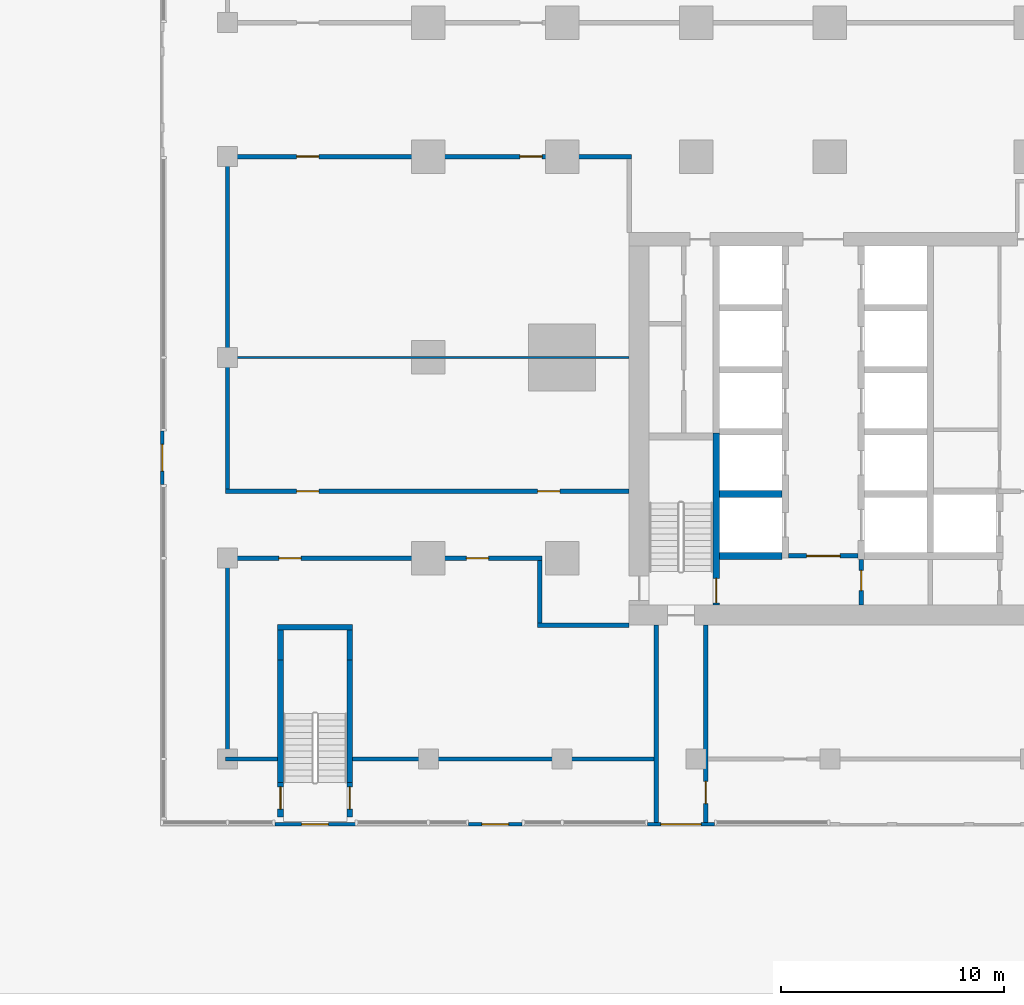
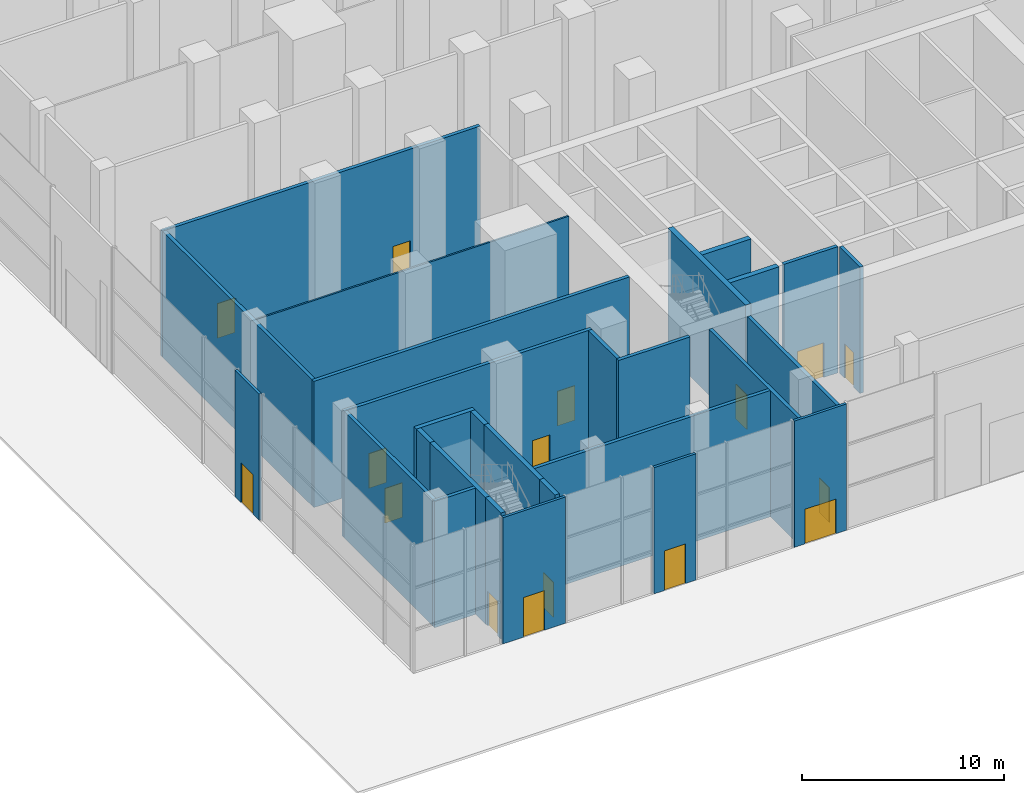
# One storey, part 17 of 29: 28 walls, 16 doors, 16 openings.
"""IFC4 building model written with IfcOpenShell, lengths in metres."""

from ifc_helpers import new_model, si_unit, direction, frame, frame_2d, origin, place, context, subcontext, project, spatial, rectangle, extrude, material, layer, layer_set, type_object, element, fill, save


model = new_model("IFC4")

# Units and contexts
model_context = context("Model", 3, precision=1e-05, world=origin(), true_north=direction((0.0, 1.0)))
body_context = subcontext(model_context, "Body", "Model", "MODEL_VIEW")
ifc_project = project(units=[si_unit("LENGTHUNIT", "METRE"), si_unit("AREAUNIT", "SQUARE_METRE"), si_unit("VOLUMEUNIT", "CUBIC_METRE"), si_unit("PLANEANGLEUNIT", "RADIAN"), si_unit("MASSUNIT", "GRAM", prefix="KILO")], contexts=[model_context])

# Site, building, storey
site_placement = place(None, origin())
site = spatial("IfcSite", under=ifc_project, at=site_placement, CompositionType="ELEMENT")
building_placement = place(site_placement, origin())
building = spatial("IfcBuilding", under=site, at=building_placement, Name="Finial Court Residences", CompositionType="ELEMENT")
storey_placement = place(building_placement, origin())
storey = spatial("IfcBuildingStorey", under=building, at=storey_placement, Name="L00", CompositionType="ELEMENT", Elevation=0.0)

# Walls
ifc_material_1 = material(Name="Gypsum board")
ifc_layer_1 = layer(ifc_material_1, 0.02490234375)
ifc_material_2 = material(Name="Acoustic mineral wool in double frame")
ifc_layer_2 = layer(ifc_material_2, 0.14990234375)
ifc_layer_3 = layer(ifc_material_1, 0.02490234375)
ifc_layer_set_1 = layer_set([ifc_layer_1, ifc_layer_2, ifc_layer_3], Name="Corridor wall 200, 1 hour")
wall_type_1 = type_object("IfcWallType", Name="Corridor wall 200, 1 hour", PredefinedType="PARTITIONING", material=ifc_layer_set_1)
wall_1_placement = place(storey_placement, frame((-31.60009765625, -31.5, 0.0), z_axis=(0.0, 0.0, 1.0), x_axis=(1.0, 0.0, 0.0)))
element("IfcWall", 1, at=wall_1_placement, inside=storey, type_object=wall_type_1, Name="Partition L00-000", PredefinedType="PARTITIONING", context=body_context, shape_type="SweptSolid", body=[
    extrude(rectangle(XDim=2.35009765625, YDim=0.199951171875, at=frame_2d((1.175048828125, 0.0))), origin(), (0.0, 0.0, 1.0), 7.64990234375),
])
wall_2_placement = place(storey_placement, frame((-25.89990234375, -31.5, 0.0), z_axis=(0.0, 0.0, 1.0), x_axis=(1.0, 0.0, 0.0)))
element("IfcWall", 2, at=wall_2_placement, inside=storey, type_object=wall_type_1, Name="Partition L00-001", PredefinedType="PARTITIONING", context=body_context, shape_type="SweptSolid", body=[
    extrude(rectangle(XDim=13.599853515625, YDim=0.199951171875, at=frame_2d((6.7998046875, 0.0))), origin(), (0.0, 0.0, 1.0), 7.64990234375),
])
wall_3_placement = place(storey_placement, frame((-17.60009765625, -25.5, 0.0), z_axis=(0.0, 0.0, 1.0), x_axis=(1.0, 0.0, 0.0)))
element("IfcWall", 3, at=wall_3_placement, inside=storey, type_object=wall_type_1, Name="Partition L00-006", PredefinedType="PARTITIONING", context=body_context, shape_type="SweptSolid", body=[
    extrude(rectangle(XDim=4.10009765625, YDim=0.199951171875, at=frame_2d((2.050048828125, 0.0))), origin(), (0.0, 0.0, 1.0), 7.64990234375),
])

# Wall, openings, doors
wall_4_placement = place(storey_placement, frame((-31.60009765625, -22.5, 0.0), z_axis=(0.0, 0.0, 1.0), x_axis=(1.0, 0.0, 0.0)))
wall_4 = element("IfcWall", 4, at=wall_4_placement, inside=storey, type_object=wall_type_1, Name="Partition L00-007", PredefinedType="PARTITIONING", context=body_context, shape_type="SweptSolid", body=[
    extrude(rectangle(XDim=14.2001953125, YDim=0.199951171875, at=frame_2d((7.10009765625, 0.0))), origin(), (0.0, 0.0, 1.0), 7.64990234375),
])
opening_1_placement = place(wall_4_placement, frame((2.39990234375, 0.0, 0.0)))
opening_1 = element("IfcOpeningElement", 5, at=opening_1_placement, cuts=wall_4, Name="Opening L00-D005", PredefinedType="OPENING", context=body_context, shape_type="SweptSolid", body=[
    extrude(rectangle(XDim=1.0, YDim=2.10009765625, at=frame_2d((0.5, 1.050048828125))), frame((0.0, 0.10986328125, 0.0), z_axis=(0.0, -1.0, 0.0), x_axis=(1.0, 0.0, 0.0)), (0.0, 0.0, 1.0), 0.219970703125),
])
opening_2_placement = place(wall_4_placement, frame((10.800048828125, 0.0, 0.0)))
opening_2 = element("IfcOpeningElement", 6, at=opening_2_placement, cuts=wall_4, Name="Opening L00-D006", PredefinedType="OPENING", context=body_context, shape_type="SweptSolid", body=[
    extrude(rectangle(XDim=1.0, YDim=2.10009765625, at=frame_2d((0.5, 1.050048828125))), frame((0.0, 0.10986328125, 0.0), z_axis=(0.0, -1.0, 0.0), x_axis=(1.0, 0.0, 0.0)), (0.0, 0.0, 1.0), 0.219970703125),
])
ifc_material_3 = material(Name="Timber door leaf in hollow metal frame", Category="wood")
door_type_1 = type_object("IfcDoorType", Name="Fire door set 1000 x 2100, 30 minutes", OperationType="SINGLE_SWING_LEFT", PredefinedType="DOOR", material=ifc_material_3)
door_1_placement = place(opening_1_placement, origin())
door_1 = element("IfcDoor", 7, at=door_1_placement, inside=storey, type_object=door_type_1, Name="Door L00-D005", OperationType="SINGLE_SWING_LEFT", OverallHeight=2.10009765625, OverallWidth=1.0, PredefinedType="DOOR", context=body_context, shape_type="SweptSolid", body=[
    extrude(rectangle(XDim=1.0, YDim=2.10009765625, at=frame_2d((0.5, 1.050048828125))), frame((0.0, 0.02490234375, 0.0), z_axis=(0.0, -1.0, 0.0), x_axis=(1.0, 0.0, 0.0)), (0.0, 0.0, 1.0), 0.050048828125),
])
fill(opening_1, door_1)
door_2_placement = place(opening_2_placement, origin())
door_2 = element("IfcDoor", 8, at=door_2_placement, inside=storey, type_object=door_type_1, Name="Door L00-D006", OperationType="SINGLE_SWING_RIGHT", OverallHeight=2.10009765625, OverallWidth=1.0, PredefinedType="DOOR", context=body_context, shape_type="SweptSolid", body=[
    extrude(rectangle(XDim=1.0, YDim=2.10009765625, at=frame_2d((0.5, 1.050048828125))), frame((0.0, 0.02490234375, 0.0), z_axis=(0.0, -1.0, 0.0), x_axis=(1.0, 0.0, 0.0)), (0.0, 0.0, 1.0), 0.050048828125),
])
fill(opening_2, door_2)

wall_5_placement = place(storey_placement, frame((-31.60009765625, -19.5, 0.0), z_axis=(0.0, 0.0, 1.0), x_axis=(1.0, 0.0, 0.0)))
wall_5 = element("IfcWall", 9, at=wall_5_placement, inside=storey, type_object=wall_type_1, Name="Partition L00-008", PredefinedType="PARTITIONING", context=body_context, shape_type="SweptSolid", body=[
    extrude(rectangle(XDim=18.10009765625, YDim=0.199951171875, at=frame_2d((9.050048828125, 0.0))), origin(), (0.0, 0.0, 1.0), 7.64990234375),
])
opening_3_placement = place(wall_5_placement, frame((3.199951171875, 0.0, 0.0)))
opening_3 = element("IfcOpeningElement", 10, at=opening_3_placement, cuts=wall_5, Name="Opening L00-D007", PredefinedType="OPENING", context=body_context, shape_type="SweptSolid", body=[
    extrude(rectangle(XDim=1.0, YDim=2.10009765625, at=frame_2d((0.5, 1.050048828125))), frame((0.0, 0.10986328125, 0.0), z_axis=(0.0, -1.0, 0.0), x_axis=(1.0, 0.0, 0.0)), (0.0, 0.0, 1.0), 0.219970703125),
])
opening_4_placement = place(wall_5_placement, frame((14.0, 0.0, 0.0)))
opening_4 = element("IfcOpeningElement", 11, at=opening_4_placement, cuts=wall_5, Name="Opening L00-D008", PredefinedType="OPENING", context=body_context, shape_type="SweptSolid", body=[
    extrude(rectangle(XDim=1.0, YDim=2.10009765625, at=frame_2d((0.5, 1.050048828125))), frame((0.0, 0.10986328125, 0.0), z_axis=(0.0, -1.0, 0.0), x_axis=(1.0, 0.0, 0.0)), (0.0, 0.0, 1.0), 0.219970703125),
])
door_3_placement = place(opening_3_placement, origin())
door_3 = element("IfcDoor", 12, at=door_3_placement, inside=storey, type_object=door_type_1, Name="Door L00-D007", OperationType="SINGLE_SWING_RIGHT", OverallHeight=2.10009765625, OverallWidth=1.0, PredefinedType="DOOR", context=body_context, shape_type="SweptSolid", body=[
    extrude(rectangle(XDim=1.0, YDim=2.10009765625, at=frame_2d((0.5, 1.050048828125))), frame((0.0, 0.02490234375, 0.0), z_axis=(0.0, -1.0, 0.0), x_axis=(1.0, 0.0, 0.0)), (0.0, 0.0, 1.0), 0.050048828125),
])
fill(opening_3, door_3)
door_4_placement = place(opening_4_placement, origin())
door_4 = element("IfcDoor", 13, at=door_4_placement, inside=storey, type_object=door_type_1, Name="Door L00-D008", OperationType="SINGLE_SWING_LEFT", OverallHeight=2.10009765625, OverallWidth=1.0, PredefinedType="DOOR", context=body_context, shape_type="SweptSolid", body=[
    extrude(rectangle(XDim=1.0, YDim=2.10009765625, at=frame_2d((0.5, 1.050048828125))), frame((0.0, 0.02490234375, 0.0), z_axis=(0.0, -1.0, 0.0), x_axis=(1.0, 0.0, 0.0)), (0.0, 0.0, 1.0), 0.050048828125),
])
fill(opening_4, door_4)

wall_6_placement = place(storey_placement, frame((-31.60009765625, -4.5, 0.0), z_axis=(0.0, 0.0, 1.0), x_axis=(1.0, 0.0, 0.0)))
wall_6 = element("IfcWall", 14, at=wall_6_placement, inside=storey, type_object=wall_type_1, Name="Partition L00-012", PredefinedType="PARTITIONING", context=body_context, shape_type="SweptSolid", body=[
    extrude(rectangle(XDim=18.2001953125, YDim=0.199951171875, at=frame_2d((9.10009765625, 0.0))), origin(), (0.0, 0.0, 1.0), 7.64990234375),
])
opening_5_placement = place(wall_6_placement, frame((3.199951171875, 0.0, 0.0)))
opening_5 = element("IfcOpeningElement", 15, at=opening_5_placement, cuts=wall_6, Name="Opening L00-D011", PredefinedType="OPENING", context=body_context, shape_type="SweptSolid", body=[
    extrude(rectangle(XDim=1.0, YDim=2.10009765625, at=frame_2d((0.5, 1.050048828125))), frame((0.0, 0.10986328125, 0.0), z_axis=(0.0, -1.0, 0.0), x_axis=(1.0, 0.0, 0.0)), (0.0, 0.0, 1.0), 0.219970703125),
])
opening_6_placement = place(wall_6_placement, frame((13.199951171875, 0.0, 0.0)))
opening_6 = element("IfcOpeningElement", 16, at=opening_6_placement, cuts=wall_6, Name="Opening L00-D012", PredefinedType="OPENING", context=body_context, shape_type="SweptSolid", body=[
    extrude(rectangle(XDim=1.0, YDim=2.10009765625, at=frame_2d((0.5, 1.050048828125))), frame((0.0, 0.10986328125, 0.0), z_axis=(0.0, -1.0, 0.0), x_axis=(1.0, 0.0, 0.0)), (0.0, 0.0, 1.0), 0.219970703125),
])
door_5_placement = place(opening_5_placement, origin())
door_5 = element("IfcDoor", 17, at=door_5_placement, inside=storey, type_object=door_type_1, Name="Door L00-D011", OperationType="SINGLE_SWING_LEFT", OverallHeight=2.10009765625, OverallWidth=1.0, PredefinedType="DOOR", context=body_context, shape_type="SweptSolid", body=[
    extrude(rectangle(XDim=1.0, YDim=2.10009765625, at=frame_2d((0.5, 1.050048828125))), frame((0.0, 0.02490234375, 0.0), z_axis=(0.0, -1.0, 0.0), x_axis=(1.0, 0.0, 0.0)), (0.0, 0.0, 1.0), 0.050048828125),
])
fill(opening_5, door_5)
door_6_placement = place(opening_6_placement, origin())
door_6 = element("IfcDoor", 18, at=door_6_placement, inside=storey, type_object=door_type_1, Name="Door L00-D012", OperationType="SINGLE_SWING_RIGHT", OverallHeight=2.10009765625, OverallWidth=1.0, PredefinedType="DOOR", context=body_context, shape_type="SweptSolid", body=[
    extrude(rectangle(XDim=1.0, YDim=2.10009765625, at=frame_2d((0.5, 1.050048828125))), frame((0.0, 0.02490234375, 0.0), z_axis=(0.0, -1.0, 0.0), x_axis=(1.0, 0.0, 0.0)), (0.0, 0.0, 1.0), 0.050048828125),
])
fill(opening_6, door_6)

# Walls
wall_7_placement = place(storey_placement, frame((-31.5, -31.39990234375, 0.0), z_axis=(0.0, 0.0, 1.0), x_axis=(0.0, 1.0, 0.0)))
element("IfcWall", 19, at=wall_7_placement, inside=storey, type_object=wall_type_1, Name="Partition L00-034", PredefinedType="PARTITIONING", context=body_context, shape_type="SweptSolid", body=[
    extrude(rectangle(XDim=8.7998046875, YDim=0.199951171875, at=frame_2d((4.39990234375, 0.0))), origin(), (0.0, 0.0, 1.0), 7.64990234375),
])
wall_8_placement = place(storey_placement, frame((-31.5, -19.39990234375, 0.0), z_axis=(0.0, 0.0, 1.0), x_axis=(0.0, 1.0, 0.0)))
element("IfcWall", 20, at=wall_8_placement, inside=storey, type_object=wall_type_1, Name="Partition L00-035", PredefinedType="PARTITIONING", context=body_context, shape_type="SweptSolid", body=[
    extrude(rectangle(XDim=14.7998046875, YDim=0.199951171875, at=frame_2d((7.39990234375, 0.0))), origin(), (0.0, 0.0, 1.0), 7.64990234375),
])
wall_9_placement = place(storey_placement, frame((-17.5, -25.39990234375, 0.0), z_axis=(0.0, 0.0, 1.0), x_axis=(0.0, 1.0, 0.0)))
element("IfcWall", 21, at=wall_9_placement, inside=storey, type_object=wall_type_1, Name="Partition L00-040", PredefinedType="PARTITIONING", context=body_context, shape_type="SweptSolid", body=[
    extrude(rectangle(XDim=2.7998046875, YDim=0.199951171875, at=frame_2d((1.39990234375, 0.0))), origin(), (0.0, 0.0, 1.0), 7.64990234375),
])

# Wall, opening, door
ifc_material_4 = material(Name="Natural limestone", Category="masonry")
ifc_layer_4 = layer(ifc_material_4, 0.14990234375)
ifc_layer_set_2 = layer_set([ifc_layer_4], Name="Entrance portal wall, limestone 150")
wall_type_2 = type_object("IfcWallType", Name="Entrance portal wall, limestone 150", PredefinedType="SOLIDWALL", material=ifc_layer_set_2)
wall_10_placement = place(storey_placement, frame((-9.675048828125, -34.425048828125, 0.0), z_axis=(0.0, 0.0, 1.0), x_axis=(-1.0, 0.0, 0.0)))
wall_10 = element("IfcWall", 22, at=wall_10_placement, inside=storey, type_object=wall_type_2, Name="E-L00-ENT2", PredefinedType="SOLIDWALL", context=body_context, shape_type="SweptSolid", body=[
    extrude(rectangle(XDim=3.0, YDim=0.14990234375, at=frame_2d((1.5, 0.0))), origin(), (0.0, 0.0, 1.0), 7.64990234375),
])
opening_7_placement = place(wall_10_placement, frame((0.60009765625, 0.0, 0.0)))
opening_7 = element("IfcOpeningElement", 23, at=opening_7_placement, cuts=wall_10, Name="Opening DE00-02", PredefinedType="OPENING", context=body_context, shape_type="SweptSolid", body=[
    extrude(rectangle(XDim=1.800048828125, YDim=2.10009765625, at=frame_2d((0.89990234375, 1.050048828125))), frame((0.0, 0.0849609375, 0.0), z_axis=(0.0, -1.0, 0.0), x_axis=(1.0, 0.0, 0.0)), (0.0, 0.0, 1.0), 0.169921875),
])
ifc_material_5 = material(Name="Steel S355", Category="steel")
door_type_2 = type_object("IfcDoorType", Name="Stair discharge door 1800 x 2100", OperationType="DOUBLE_DOOR_SINGLE_SWING", PredefinedType="DOOR", material=ifc_material_5)
door_7_placement = place(opening_7_placement, origin())
door_7 = element("IfcDoor", 24, at=door_7_placement, inside=storey, type_object=door_type_2, Name="E-L00-ENT2-D", OperationType="DOUBLE_DOOR_SINGLE_SWING", OverallHeight=2.10009765625, OverallWidth=1.800048828125, PredefinedType="DOOR", context=body_context, shape_type="SweptSolid", body=[
    extrude(rectangle(XDim=1.800048828125, YDim=2.10009765625, at=frame_2d((0.89990234375, 1.050048828125))), frame((0.0, 0.02490234375, 0.0), z_axis=(0.0, -1.0, 0.0), x_axis=(1.0, 0.0, 0.0)), (0.0, 0.0, 1.0), 0.050048828125),
])
fill(opening_7, door_7)

wall_11_placement = place(storey_placement, frame((-25.77490234375, -34.425048828125, 0.0), z_axis=(0.0, 0.0, 1.0), x_axis=(-1.0, 0.0, 0.0)))
wall_11 = element("IfcWall", 25, at=wall_11_placement, inside=storey, type_object=wall_type_2, Name="E-L00-ENT5", PredefinedType="SOLIDWALL", context=body_context, shape_type="SweptSolid", body=[
    extrude(rectangle(XDim=3.60009765625, YDim=0.14990234375, at=frame_2d((1.800048828125, 0.0))), origin(), (0.0, 0.0, 1.0), 7.64990234375),
])
opening_8_placement = place(wall_11_placement, frame((1.199951171875, 0.0, 0.0)))
opening_8 = element("IfcOpeningElement", 26, at=opening_8_placement, cuts=wall_11, Name="Opening DE00-05", PredefinedType="OPENING", context=body_context, shape_type="SweptSolid", body=[
    extrude(rectangle(XDim=1.199951171875, YDim=2.39990234375, at=frame_2d((0.60009765625, 1.199951171875))), frame((0.0, 0.0849609375, 0.0), z_axis=(0.0, -1.0, 0.0), x_axis=(1.0, 0.0, 0.0)), (0.0, 0.0, 1.0), 0.169921875),
])
door_type_3 = type_object("IfcDoorType", Name="Stair discharge door 1200 x 2400", OperationType="SINGLE_SWING_LEFT", PredefinedType="DOOR", material=ifc_material_5)
door_8_placement = place(opening_8_placement, origin())
door_8 = element("IfcDoor", 27, at=door_8_placement, inside=storey, type_object=door_type_3, Name="E-L00-ENT5-D", OperationType="SINGLE_SWING_RIGHT", OverallHeight=2.39990234375, OverallWidth=1.199951171875, PredefinedType="DOOR", context=body_context, shape_type="SweptSolid", body=[
    extrude(rectangle(XDim=1.199951171875, YDim=2.39990234375, at=frame_2d((0.60009765625, 1.199951171875))), frame((0.0, 0.02490234375, 0.0), z_axis=(0.0, -1.0, 0.0), x_axis=(1.0, 0.0, 0.0)), (0.0, 0.0, 1.0), 0.050048828125),
])
fill(opening_8, door_8)

wall_12_placement = place(storey_placement, frame((-18.300048828125, -34.425048828125, 0.0), z_axis=(0.0, 0.0, 1.0), x_axis=(-1.0, 0.0, 0.0)))
wall_12 = element("IfcWall", 28, at=wall_12_placement, inside=storey, type_object=wall_type_2, Name="E-L00-ENT8", PredefinedType="SOLIDWALL", context=body_context, shape_type="SweptSolid", body=[
    extrude(rectangle(XDim=2.39990234375, YDim=0.14990234375, at=frame_2d((1.199951171875, 0.0))), origin(), (0.0, 0.0, 1.0), 7.64990234375),
])
opening_9_placement = place(wall_12_placement, frame((0.60009765625, 0.0, 0.0)))
opening_9 = element("IfcOpeningElement", 29, at=opening_9_placement, cuts=wall_12, Name="Opening DE00-08", PredefinedType="OPENING", context=body_context, shape_type="SweptSolid", body=[
    extrude(rectangle(XDim=1.199951171875, YDim=2.39990234375, at=frame_2d((0.60009765625, 1.199951171875))), frame((0.0, 0.0849609375, 0.0), z_axis=(0.0, -1.0, 0.0), x_axis=(1.0, 0.0, 0.0)), (0.0, 0.0, 1.0), 0.169921875),
])
ifc_material_6 = material(Name="Bronze anodised aluminium", Category="aluminium")
door_type_4 = type_object("IfcDoorType", Name="Shopfront entrance door 1200 x 2400", OperationType="SINGLE_SWING_LEFT", PredefinedType="DOOR", material=ifc_material_6)
door_9_placement = place(opening_9_placement, origin())
door_9 = element("IfcDoor", 30, at=door_9_placement, inside=storey, type_object=door_type_4, Name="E-L00-ENT8-D", OperationType="SINGLE_SWING_LEFT", OverallHeight=2.39990234375, OverallWidth=1.199951171875, PredefinedType="DOOR", context=body_context, shape_type="SweptSolid", body=[
    extrude(rectangle(XDim=1.199951171875, YDim=2.39990234375, at=frame_2d((0.60009765625, 1.199951171875))), frame((0.0, 0.02490234375, 0.0), z_axis=(0.0, -1.0, 0.0), x_axis=(1.0, 0.0, 0.0)), (0.0, 0.0, 1.0), 0.050048828125),
])
fill(opening_9, door_9)

wall_13_placement = place(storey_placement, frame((-34.425048828125, -19.199951171875, 0.0), z_axis=(0.0, 0.0, 1.0), x_axis=(0.0, 1.0, 0.0)))
wall_13 = element("IfcWall", 31, at=wall_13_placement, inside=storey, type_object=wall_type_2, Name="E-L00-ENT15", PredefinedType="SOLIDWALL", context=body_context, shape_type="SweptSolid", body=[
    extrude(rectangle(XDim=2.39990234375, YDim=0.14990234375, at=frame_2d((1.199951171875, 0.0))), origin(), (0.0, 0.0, 1.0), 7.64990234375),
])
opening_10_placement = place(wall_13_placement, frame((0.60009765625, 0.0, 0.0)))
opening_10 = element("IfcOpeningElement", 32, at=opening_10_placement, cuts=wall_13, Name="Opening DE00-15", PredefinedType="OPENING", context=body_context, shape_type="SweptSolid", body=[
    extrude(rectangle(XDim=1.199951171875, YDim=2.39990234375, at=frame_2d((0.60009765625, 1.199951171875))), frame((0.0, 0.0849609375, 0.0), z_axis=(0.0, -1.0, 0.0), x_axis=(1.0, 0.0, 0.0)), (0.0, 0.0, 1.0), 0.169921875),
])
door_10_placement = place(opening_10_placement, origin())
door_10 = element("IfcDoor", 33, at=door_10_placement, inside=storey, type_object=door_type_4, Name="E-L00-ENT15-D", OperationType="SINGLE_SWING_RIGHT", OverallHeight=2.39990234375, OverallWidth=1.199951171875, PredefinedType="DOOR", context=body_context, shape_type="SweptSolid", body=[
    extrude(rectangle(XDim=1.199951171875, YDim=2.39990234375, at=frame_2d((0.60009765625, 1.199951171875))), frame((0.0, 0.02490234375, 0.0), z_axis=(0.0, -1.0, 0.0), x_axis=(1.0, 0.0, 0.0)), (0.0, 0.0, 1.0), 0.050048828125),
])
fill(opening_10, door_10)

# Wall
ifc_material_7 = material(Name="Fire-rated gypsum board partition")
ifc_layer_5 = layer(ifc_material_7, 0.199951171875)
ifc_layer_set_3 = layer_set([ifc_layer_5], Name="Exit passage wall 200 EI 120")
wall_type_3 = type_object("IfcWallType", Name="Exit passage wall 200 EI 120", PredefinedType="PARTITIONING", material=ifc_layer_set_3)
wall_14_placement = place(storey_placement, frame((-12.27490234375, -25.5, 0.0), z_axis=(0.0, 0.0, 1.0), x_axis=(0.0, -1.0, 0.0)))
element("IfcWall", 34, at=wall_14_placement, inside=storey, type_object=wall_type_3, Name="Exit passage wall ST-1 W", PredefinedType="PARTITIONING", context=body_context, shape_type="SweptSolid", body=[
    extrude(rectangle(XDim=8.85009765625, YDim=0.199951171875, at=frame_2d((4.425048828125, 0.0))), origin(), (0.0, 0.0, 1.0), 7.64990234375),
])

# Wall, opening, door
wall_15_placement = place(storey_placement, frame((-10.074951171875, -34.35009765625, 0.0), z_axis=(0.0, 0.0, 1.0), x_axis=(0.0, 1.0, 0.0)))
wall_15 = element("IfcWall", 35, at=wall_15_placement, inside=storey, type_object=wall_type_3, Name="Exit passage wall ST-1 E", PredefinedType="PARTITIONING", context=body_context, shape_type="SweptSolid", body=[
    extrude(rectangle(XDim=8.85009765625, YDim=0.199951171875, at=frame_2d((4.425048828125, 0.0))), origin(), (0.0, 0.0, 1.0), 7.64990234375),
])
opening_11_placement = place(wall_15_placement, frame((0.85009765625, 0.0, 0.0)))
opening_11 = element("IfcOpeningElement", 36, at=opening_11_placement, cuts=wall_15, Name="Opening L00-P01", PredefinedType="OPENING", context=body_context, shape_type="SweptSolid", body=[
    extrude(rectangle(XDim=1.0, YDim=2.10009765625, at=frame_2d((0.5, 1.050048828125))), frame((0.0, 0.10986328125, 0.0), z_axis=(0.0, -1.0, 0.0), x_axis=(1.0, 0.0, 0.0)), (0.0, 0.0, 1.0), 0.219970703125),
])
ifc_material_8 = material(Name="Steel fire door", Category="steel")
door_type_5 = type_object("IfcDoorType", Name="Stair door 1000 x 2100 EI 90", OperationType="NOTDEFINED", PredefinedType="DOOR", material=ifc_material_8)
door_11_placement = place(opening_11_placement, origin())
door_11 = element("IfcDoor", 37, at=door_11_placement, inside=storey, type_object=door_type_5, Name="Exit passage door ST-1 E", OperationType="SINGLE_SWING_LEFT", OverallHeight=2.10009765625, OverallWidth=1.0, PredefinedType="DOOR", context=body_context, shape_type="SweptSolid", body=[
    extrude(rectangle(XDim=1.0, YDim=2.10009765625, at=frame_2d((0.5, 1.050048828125))), frame((0.0, 0.02490234375, 0.0), z_axis=(0.0, -1.0, 0.0), x_axis=(1.0, 0.0, 0.0)), (0.0, 0.0, 1.0), 0.050048828125),
])
fill(opening_11, door_11)

# Walls
ifc_layer_6 = layer(ifc_material_1, 0.012451171875)
ifc_material_9 = material(Name="Mineral wool in light-gauge frame")
ifc_layer_7 = layer(ifc_material_9, 0.074951171875)
ifc_layer_8 = layer(ifc_material_1, 0.012451171875)
ifc_layer_set_4 = layer_set([ifc_layer_6, ifc_layer_7, ifc_layer_8], Name="Gypsum board partition 100")
wall_type_4 = type_object("IfcWallType", Name="Gypsum board partition 100", PredefinedType="PARTITIONING", material=ifc_layer_set_4)
wall_16_placement = place(storey_placement, frame((-31.39990234375, -13.5, 0.0), z_axis=(0.0, 0.0, 1.0), x_axis=(1.0, 0.0, 0.0)))
element("IfcWall", 38, at=wall_16_placement, inside=storey, type_object=wall_type_4, Name="Partition L00-010", PredefinedType="PARTITIONING", context=body_context, shape_type="SweptSolid", body=[
    extrude(rectangle(XDim=17.89990234375, YDim=0.10009765625, at=frame_2d((8.949951171875, 0.0))), origin(), (0.0, 0.0, 1.0), 7.64990234375),
])
ifc_material_10 = material(Name="Concrete C80/95", Category="concrete")
ifc_layer_9 = layer(ifc_material_10, 0.300048828125)
ifc_layer_set_5 = layer_set([ifc_layer_9], Name="Lift shaft and stair wall 300 Concrete C80/95")
wall_type_5 = type_object("IfcWallType", Name="Lift shaft and stair wall 300 Concrete C80/95", PredefinedType="SHEAR", material=ifc_layer_set_5)
for number, where, z_axis, x_axis, name in (
    (39, (-9.449951171875, -22.39990234375, 0.0), (0.0, 0.0, 1.0), (1.0, 0.0, 0.0), "Core wall L00-01"),
    (40, (-9.449951171875, -19.6201171875, 0.0), (0.0, 0.0, 1.0), (1.0, 0.0, 0.0), "Core wall L00-05"),
):
    element("IfcWall", number, at=place(storey_placement, frame(where, z_axis=z_axis, x_axis=x_axis)), inside=storey, type_object=wall_type_5, Name=name, PredefinedType="SHEAR", context=body_context, shape_type="SweptSolid", body=[
        extrude(rectangle(XDim=2.800048828125, YDim=0.300048828125, at=frame_2d((1.39990234375, 0.0))), origin(), (0.0, 0.0, 1.0), 7.64990234375),
    ])

# Wall, opening, door
wall_17_placement = place(storey_placement, frame((-9.60009765625, -24.60009765625, 0.0), z_axis=(0.0, 0.0, 1.0), x_axis=(0.0, 1.0, 0.0)))
wall_17 = element("IfcWall", 41, at=wall_17_placement, inside=storey, type_object=wall_type_5, Name="Core wall L00-23", PredefinedType="SHEAR", context=body_context, shape_type="SweptSolid", body=[
    extrude(rectangle(XDim=7.7001953125, YDim=0.300048828125, at=frame_2d((3.85009765625, 0.0))), origin(), (0.0, 0.0, 1.0), 7.64990234375),
])
opening_12_placement = place(wall_17_placement, frame((0.10009765625, 0.0, 0.0)))
opening_12 = element("IfcOpeningElement", 42, at=opening_12_placement, cuts=wall_17, Name="Opening L00-C18", PredefinedType="OPENING", context=body_context, shape_type="SweptSolid", body=[
    extrude(rectangle(XDim=1.10009765625, YDim=2.10009765625, at=frame_2d((0.550048828125, 1.050048828125))), frame((0.0, 0.159912109375, 0.0), z_axis=(0.0, -1.0, 0.0), x_axis=(1.0, 0.0, 0.0)), (0.0, 0.0, 1.0), 0.320068359375),
])
door_type_6 = type_object("IfcDoorType", Name="Stair door 1100 x 2100 EI 90", OperationType="NOTDEFINED", PredefinedType="DOOR", material=ifc_material_8)
door_12_placement = place(opening_12_placement, origin())
door_12 = element("IfcDoor", 43, at=door_12_placement, inside=storey, type_object=door_type_6, Name="Stair door L00-C18", OperationType="SINGLE_SWING_LEFT", OverallHeight=2.10009765625, OverallWidth=1.10009765625, PredefinedType="DOOR", context=body_context, shape_type="SweptSolid", body=[
    extrude(rectangle(XDim=1.10009765625, YDim=2.10009765625, at=frame_2d((0.550048828125, 1.050048828125))), frame((0.0, 0.02490234375, 0.0), z_axis=(0.0, -1.0, 0.0), x_axis=(1.0, 0.0, 0.0)), (0.0, 0.0, 1.0), 0.050048828125),
])
fill(opening_12, door_12)

ifc_material_11 = material(Name="Concrete C50/60", Category="concrete")
ifc_layer_10 = layer(ifc_material_11, 0.25)
ifc_layer_set_6 = layer_set([ifc_layer_10], Name="Stair enclosure wall 250 Concrete C50/60")
wall_type_6 = type_object("IfcWallType", Name="Stair enclosure wall 250 Concrete C50/60", PredefinedType="SHEAR", material=ifc_layer_set_6)
wall_18_placement = place(storey_placement, frame((-29.125, -32.550048828125, 0.0), z_axis=(0.0, 0.0, 1.0), x_axis=(0.0, -1.0, 0.0)))
wall_18 = element("IfcWall", 44, at=wall_18_placement, inside=storey, type_object=wall_type_6, Name="Exit Stair 4 enclosure wall L00-W1", PredefinedType="SHEAR", context=body_context, shape_type="SweptSolid", body=[
    extrude(rectangle(XDim=1.550048828125, YDim=0.25, at=frame_2d((0.77490234375, 0.0))), origin(), (0.0, 0.0, 1.0), 7.64990234375),
])
opening_13_placement = place(wall_18_placement, frame((0.199951171875, 0.0, 0.0)))
opening_13 = element("IfcOpeningElement", 45, at=opening_13_placement, cuts=wall_18, Name="Opening L00-S4", PredefinedType="OPENING", context=body_context, shape_type="SweptSolid", body=[
    extrude(rectangle(XDim=1.0, YDim=2.10009765625, at=frame_2d((0.5, 1.050048828125))), frame((0.0, 0.135009765625, 0.0), z_axis=(0.0, -1.0, 0.0), x_axis=(1.0, 0.0, 0.0)), (0.0, 0.0, 1.0), 0.27001953125),
])
door_13_placement = place(opening_13_placement, origin())
door_13 = element("IfcDoor", 46, at=door_13_placement, inside=storey, type_object=door_type_5, Name="Exit Stair 4 door L00", OperationType="SINGLE_SWING_RIGHT", OverallHeight=2.10009765625, OverallWidth=1.0, PredefinedType="DOOR", context=body_context, shape_type="SweptSolid", body=[
    extrude(rectangle(XDim=1.0, YDim=2.10009765625, at=frame_2d((0.5, 1.050048828125))), frame((0.0, 0.02490234375, 0.0), z_axis=(0.0, -1.0, 0.0), x_axis=(1.0, 0.0, 0.0)), (0.0, 0.0, 1.0), 0.050048828125),
])
fill(opening_13, door_13)

# Walls
wall_19_placement = place(storey_placement, frame((-29.125, -32.550048828125, 0.0), z_axis=(0.0, 0.0, 1.0), x_axis=(0.0, 1.0, 0.0)))
element("IfcWall", 47, at=wall_19_placement, inside=storey, type_object=wall_type_6, Name="Exit Stair 4 enclosure wall L00-W2", PredefinedType="SHEAR", context=body_context, shape_type="SweptSolid", body=[
    extrude(rectangle(XDim=5.47998046875, YDim=0.25, at=frame_2d((2.739990234375, 0.0))), origin(), (0.0, 0.0, 1.0), 7.64990234375),
])
wall_20_placement = place(storey_placement, frame((-29.125, -27.070068359375, 0.0), z_axis=(0.0, 0.0, 1.0), x_axis=(0.0, 1.0, 0.0)))
element("IfcWall", 48, at=wall_20_placement, inside=storey, type_object=wall_type_6, Name="Exit Stair 4 enclosure wall L00-W3", PredefinedType="SHEAR", context=body_context, shape_type="SweptSolid", body=[
    extrude(rectangle(XDim=1.35009765625, YDim=0.25, at=frame_2d((0.675048828125, 0.0))), origin(), (0.0, 0.0, 1.0), 7.64990234375),
])

# Wall, opening, door
wall_21_placement = place(storey_placement, frame((-26.02490234375, -34.10009765625, 0.0), z_axis=(0.0, 0.0, 1.0), x_axis=(0.0, 1.0, 0.0)))
wall_21 = element("IfcWall", 49, at=wall_21_placement, inside=storey, type_object=wall_type_6, Name="Exit Stair 4 enclosure wall L00-E1", PredefinedType="SHEAR", context=body_context, shape_type="SweptSolid", body=[
    extrude(rectangle(XDim=1.550048828125, YDim=0.25, at=frame_2d((0.77490234375, 0.0))), origin(), (0.0, 0.0, 1.0), 7.64990234375),
])
opening_14_placement = place(wall_21_placement, frame((0.35009765625, 0.0, 0.0)))
opening_14 = element("IfcOpeningElement", 50, at=opening_14_placement, cuts=wall_21, Name="Opening L00-S4E", PredefinedType="OPENING", context=body_context, shape_type="SweptSolid", body=[
    extrude(rectangle(XDim=1.0, YDim=2.10009765625, at=frame_2d((0.5, 1.050048828125))), frame((0.0, 0.135009765625, 0.0), z_axis=(0.0, -1.0, 0.0), x_axis=(1.0, 0.0, 0.0)), (0.0, 0.0, 1.0), 0.27001953125),
])
door_14_placement = place(opening_14_placement, origin())
door_14 = element("IfcDoor", 51, at=door_14_placement, inside=storey, type_object=door_type_5, Name="Exit Stair 4 east door L00", OperationType="SINGLE_SWING_LEFT", OverallHeight=2.10009765625, OverallWidth=1.0, PredefinedType="DOOR", context=body_context, shape_type="SweptSolid", body=[
    extrude(rectangle(XDim=1.0, YDim=2.10009765625, at=frame_2d((0.5, 1.050048828125))), frame((0.0, 0.02490234375, 0.0), z_axis=(0.0, -1.0, 0.0), x_axis=(1.0, 0.0, 0.0)), (0.0, 0.0, 1.0), 0.050048828125),
])
fill(opening_14, door_14)

# Walls
wall_22_placement = place(storey_placement, frame((-26.02490234375, -32.550048828125, 0.0), z_axis=(0.0, 0.0, 1.0), x_axis=(0.0, 1.0, 0.0)))
element("IfcWall", 52, at=wall_22_placement, inside=storey, type_object=wall_type_6, Name="Exit Stair 4 enclosure wall L00-E2", PredefinedType="SHEAR", context=body_context, shape_type="SweptSolid", body=[
    extrude(rectangle(XDim=5.47998046875, YDim=0.25, at=frame_2d((2.739990234375, 0.0))), origin(), (0.0, 0.0, 1.0), 7.64990234375),
])
wall_23_placement = place(storey_placement, frame((-26.02490234375, -27.070068359375, 0.0), z_axis=(0.0, 0.0, 1.0), x_axis=(0.0, 1.0, 0.0)))
element("IfcWall", 53, at=wall_23_placement, inside=storey, type_object=wall_type_6, Name="Exit Stair 4 enclosure wall L00-E3", PredefinedType="SHEAR", context=body_context, shape_type="SweptSolid", body=[
    extrude(rectangle(XDim=1.35009765625, YDim=0.25, at=frame_2d((0.675048828125, 0.0))), origin(), (0.0, 0.0, 1.0), 7.64990234375),
])
wall_24_placement = place(storey_placement, frame((-29.25, -25.594970703125, 0.0), z_axis=(0.0, 0.0, 1.0), x_axis=(1.0, 0.0, 0.0)))
element("IfcWall", 54, at=wall_24_placement, inside=storey, type_object=wall_type_6, Name="Exit Stair 4 enclosure wall L00-N", PredefinedType="SHEAR", context=body_context, shape_type="SweptSolid", body=[
    extrude(rectangle(XDim=3.35009765625, YDim=0.25, at=frame_2d((1.675048828125, 0.0))), origin(), (0.0, 0.0, 1.0), 7.64990234375),
])

# Wall, opening, door
ifc_layer_11 = layer(ifc_material_7, 0.199951171875)
ifc_layer_set_7 = layer_set([ifc_layer_11], Name="Stair passage wall 200 EI 180")
wall_type_7 = type_object("IfcWallType", Name="Stair passage wall 200 EI 180", PredefinedType="PARTITIONING", material=ifc_layer_set_7)
wall_25_placement = place(storey_placement, frame((-3.25, -22.39990234375, 0.0), z_axis=(0.0, 0.0, 1.0), x_axis=(-1.0, 0.0, 0.0)))
wall_25 = element("IfcWall", 55, at=wall_25_placement, inside=storey, type_object=wall_type_7, Name="Core partition L00-02", PredefinedType="PARTITIONING", context=body_context, shape_type="SweptSolid", body=[
    extrude(rectangle(XDim=3.10009765625, YDim=0.199951171875, at=frame_2d((1.550048828125, 0.0))), origin(), (0.0, 0.0, 1.0), 7.64990234375),
])
opening_15_placement = place(wall_25_placement, frame((0.800048828125, 0.0, 0.0)))
opening_15 = element("IfcOpeningElement", 56, at=opening_15_placement, cuts=wall_25, Name="Opening L00-C05", PredefinedType="OPENING", context=body_context, shape_type="SweptSolid", body=[
    extrude(rectangle(XDim=1.5, YDim=2.10009765625, at=frame_2d((0.75, 1.050048828125))), frame((0.0, 0.10986328125, 0.0), z_axis=(0.0, -1.0, 0.0), x_axis=(1.0, 0.0, 0.0)), (0.0, 0.0, 1.0), 0.219970703125),
])
door_type_7 = type_object("IfcDoorType", Name="Lift lobby door 1500 x 2100 EI 60", OperationType="DOUBLE_DOOR_SINGLE_SWING", PredefinedType="DOOR", material=ifc_material_8)
door_15_placement = place(opening_15_placement, origin())
door_15 = element("IfcDoor", 57, at=door_15_placement, inside=storey, type_object=door_type_7, Name="Lift lobby door L00-C05", OperationType="DOUBLE_DOOR_SINGLE_SWING", OverallHeight=2.10009765625, OverallWidth=1.5, PredefinedType="DOOR", context=body_context, shape_type="SweptSolid", body=[
    extrude(rectangle(XDim=1.5, YDim=2.10009765625, at=frame_2d((0.75, 1.050048828125))), frame((0.0, 0.02490234375, 0.0), z_axis=(0.0, -1.0, 0.0), x_axis=(1.0, 0.0, 0.0)), (0.0, 0.0, 1.0), 0.050048828125),
])
fill(opening_15, door_15)

wall_26_placement = place(storey_placement, frame((-3.10009765625, -22.550048828125, 0.0), z_axis=(0.0, 0.0, 1.0), x_axis=(0.0, -1.0, 0.0)))
wall_26 = element("IfcWall", 58, at=wall_26_placement, inside=storey, type_object=wall_type_7, Name="Core partition L00-26", PredefinedType="PARTITIONING", context=body_context, shape_type="SweptSolid", body=[
    extrude(rectangle(XDim=2.050048828125, YDim=0.199951171875, at=frame_2d((1.02490234375, 0.0))), origin(), (0.0, 0.0, 1.0), 7.64990234375),
])
opening_16_placement = place(wall_26_placement, frame((0.5, 0.0, 0.0)))
opening_16 = element("IfcOpeningElement", 59, at=opening_16_placement, cuts=wall_26, Name="Opening L00-C12", PredefinedType="OPENING", context=body_context, shape_type="SweptSolid", body=[
    extrude(rectangle(XDim=0.89990234375, YDim=2.10009765625, at=frame_2d((0.449951171875, 1.050048828125))), frame((0.0, 0.10986328125, 0.0), z_axis=(0.0, -1.0, 0.0), x_axis=(1.0, 0.0, 0.0)), (0.0, 0.0, 1.0), 0.219970703125),
])
door_type_8 = type_object("IfcDoorType", Name="Core room door 900 x 2100 EI 60", OperationType="NOTDEFINED", PredefinedType="DOOR", material=ifc_material_8)
door_16_placement = place(opening_16_placement, origin())
door_16 = element("IfcDoor", 60, at=door_16_placement, inside=storey, type_object=door_type_8, Name="Core room door L00-C12", OperationType="SINGLE_SWING_RIGHT", OverallHeight=2.10009765625, OverallWidth=0.89990234375, PredefinedType="DOOR", context=body_context, shape_type="SweptSolid", body=[
    extrude(rectangle(XDim=0.89990234375, YDim=2.10009765625, at=frame_2d((0.449951171875, 1.050048828125))), frame((0.0, 0.02490234375, 0.0), z_axis=(0.0, -1.0, 0.0), x_axis=(1.0, 0.0, 0.0)), (0.0, 0.0, 1.0), 0.050048828125),
])
fill(opening_16, door_16)

save(model, "model.ifc")
